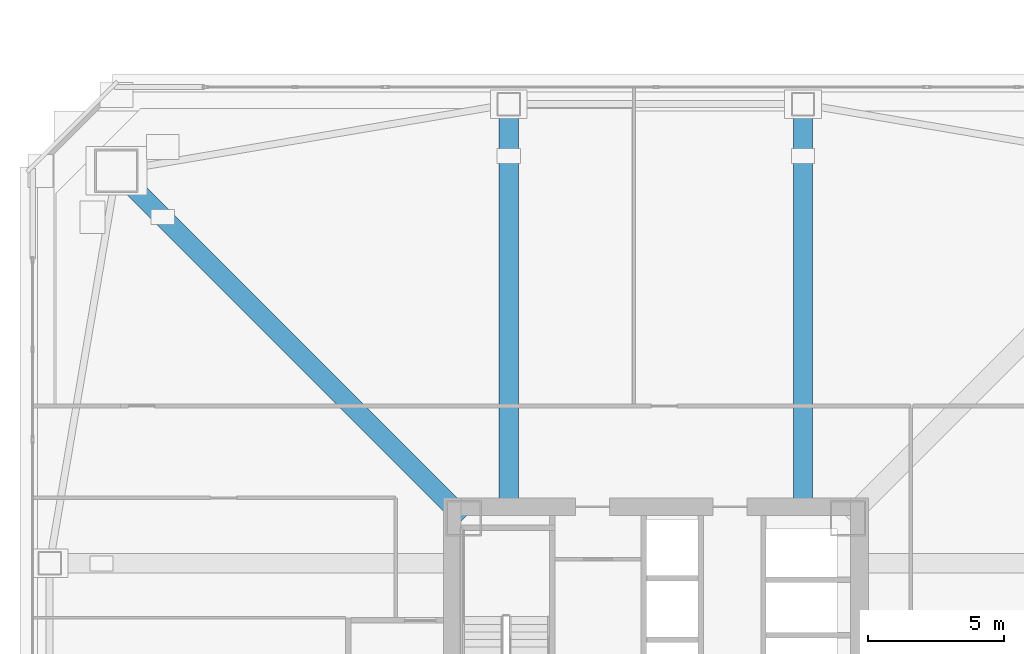
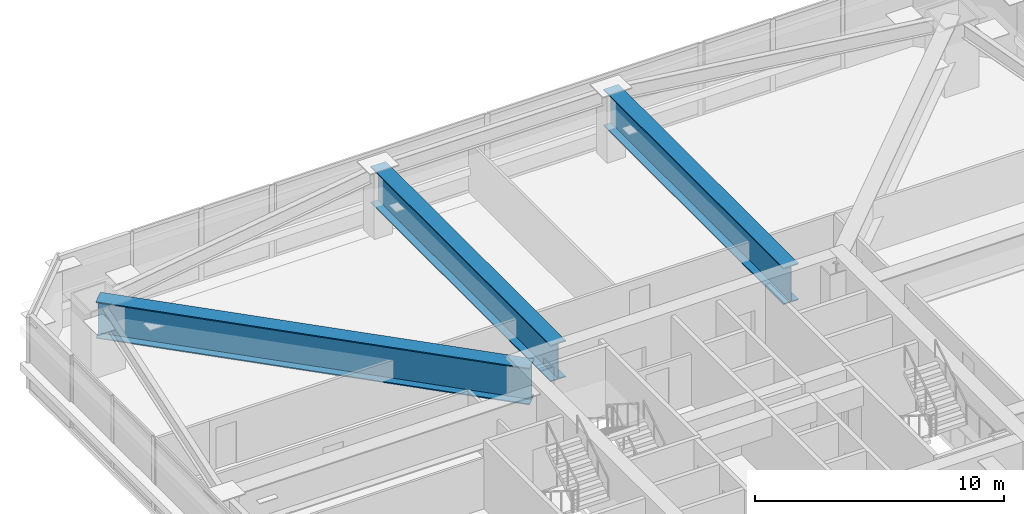
# One storey, part 14 of 48: 3 beams.
"""IFC4 building model written with IfcOpenShell, lengths in metres."""

from ifc_helpers import new_model, si_unit, direction, frame, origin, origin_2d, place, context, subcontext, project, spatial, i_section, extrude, material, material_profile, profile_set, type_object, element, save


model = new_model("IFC4")

# Units and contexts
model_context = context("Model", 3, precision=1e-05, world=origin(), true_north=direction((0.0, 1.0)))
body_context = subcontext(model_context, "Body", "Model", "MODEL_VIEW")
ifc_project = project(units=[si_unit("LENGTHUNIT", "METRE"), si_unit("AREAUNIT", "SQUARE_METRE"), si_unit("VOLUMEUNIT", "CUBIC_METRE"), si_unit("PLANEANGLEUNIT", "RADIAN"), si_unit("MASSUNIT", "GRAM", prefix="KILO")], contexts=[model_context])

# Site, building, storey
site_placement = place(None, origin())
site = spatial("IfcSite", under=ifc_project, at=site_placement, CompositionType="ELEMENT")
building_placement = place(site_placement, origin())
building = spatial("IfcBuilding", under=site, at=building_placement, Name="Tashvorn Skyway Center", CompositionType="ELEMENT")
storey_placement = place(building_placement, frame((0.0, 0.0, 63.64990234375)))
storey = spatial("IfcBuildingStorey", under=building, at=storey_placement, Name="L16", CompositionType="ELEMENT", Elevation=63.64990234375)

# Beams
ifc_material = material(Name="Steel ASTM A572 Grade 50", Category="steel")
ifc_material_profile = material_profile(ifc_material, i_section(OverallWidth=0.699951171875, OverallDepth=1.800048828125, WebThickness=0.031982421875, FlangeThickness=0.050048828125, at=origin_2d()), Name="PG1800x700")
ifc_profile_set = profile_set([ifc_material_profile], Name="Steel ASTM A572 Grade 50")
beam_type = type_object("IfcBeamType", Name="BM-BEAM-PG1800x700", PredefinedType="BEAM", material=ifc_profile_set)
beam_placement = place(storey_placement, frame((22.199951171875, 51.800048828125, 2.4501953125), z_axis=(0.707106781187, -0.707106781187, 0.0), x_axis=(0.707106781187, 0.707106781187, 0.0)))
element("IfcBeam", 1, at=beam_placement, inside=storey, type_object=beam_type, Name="Tower 1 L16 Setback Transfer Girder MC-NW", PredefinedType="BEAM", context=body_context, shape_type="SweptSolid", body=[
    extrude(i_section(OverallWidth=0.699951171875, OverallDepth=1.800048828125, WebThickness=0.031982421875, FlangeThickness=0.050048828125, at=origin_2d()), origin(), (0.0, 0.0, 1.0), 18.03125),
])
for number, where, z_axis, x_axis, name in (
    (2, (47.39990234375, 54.25, 2.4501953125), (0.0, -1.0, 0.0), (1.0, 0.0, 0.0), "Tower 1 L16 Setback Transfer Girder FC-N1"),
    (3, (36.60009765625, 54.25, 2.4501953125), (0.0, -1.0, 0.0), (1.0, 0.0, 0.0), "Tower 1 L16 Setback Transfer Girder FC-N2"),
):
    element("IfcBeam", number, at=place(storey_placement, frame(where, z_axis=z_axis, x_axis=x_axis)), inside=storey, type_object=beam_type, Name=name, PredefinedType="BEAM", context=body_context, shape_type="SweptSolid", body=[
        extrude(i_section(OverallWidth=0.699951171875, OverallDepth=1.800048828125, WebThickness=0.031982421875, FlangeThickness=0.050048828125, at=origin_2d()), origin(), (0.0, 0.0, 1.0), 14.469970703125),
    ])

save(model, "model.ifc")
